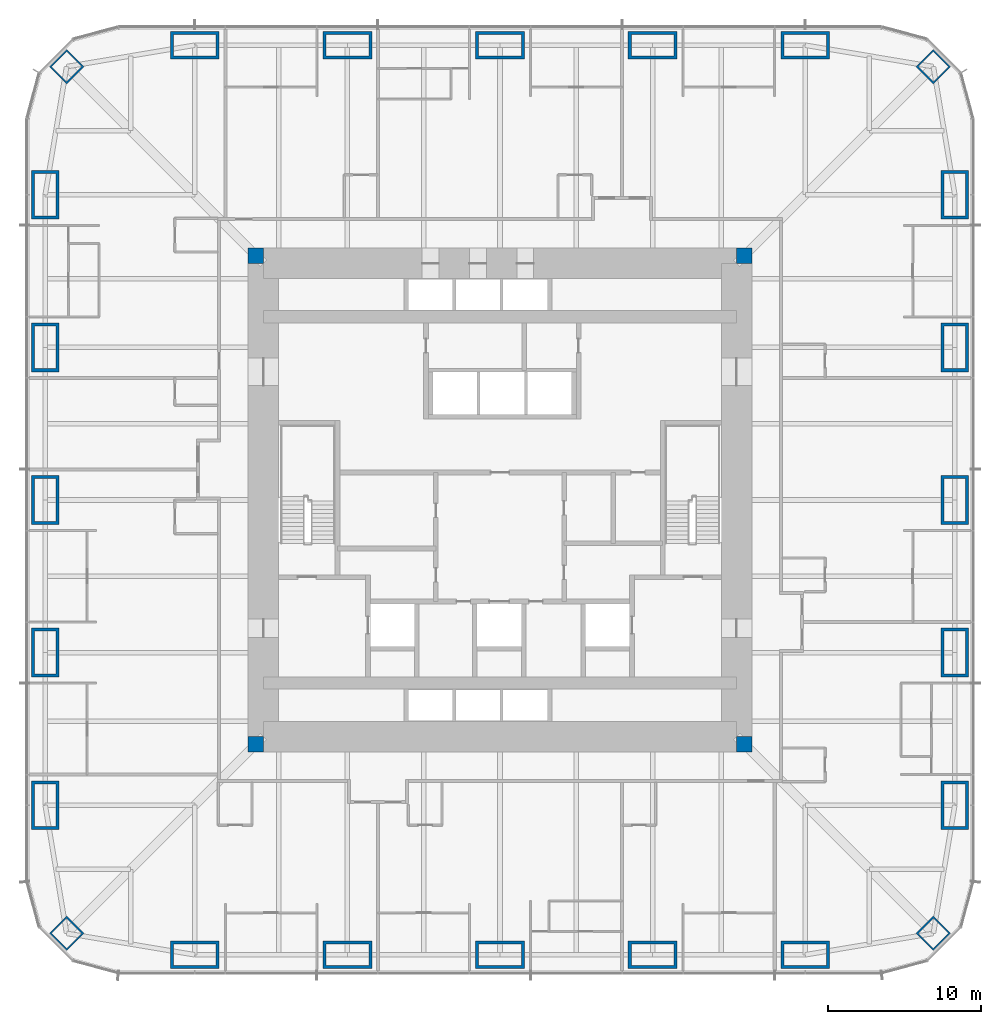
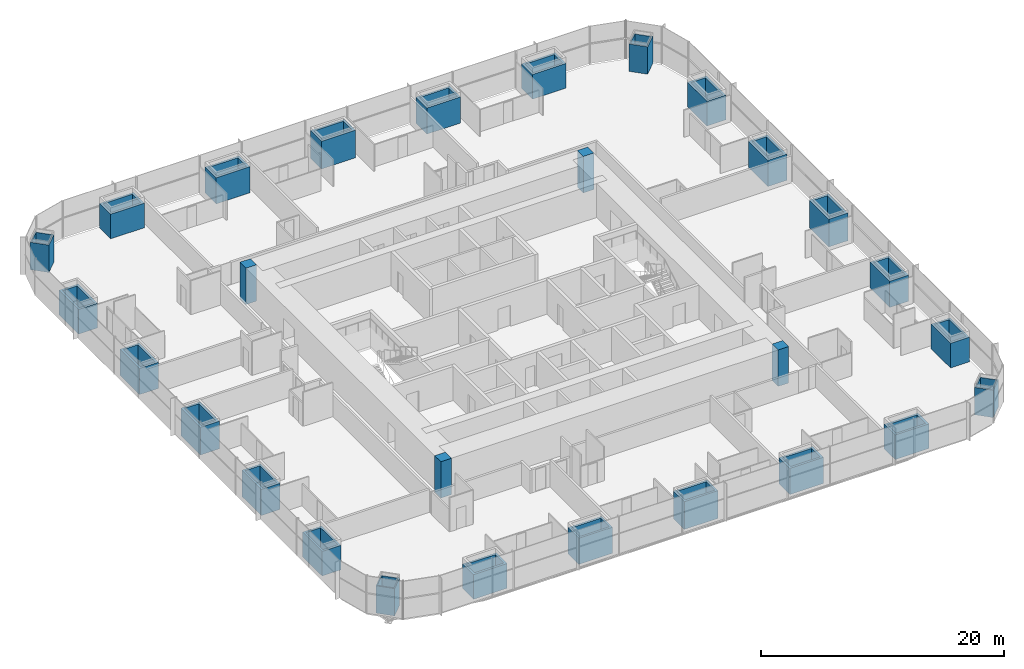
# One storey, part 1 of 17: 28 columns.
"""IFC4 building model written with IfcOpenShell, lengths in metres."""

from ifc_helpers import new_model, si_unit, direction, frame, origin, origin_2d, place, context, subcontext, project, spatial, rectangle, hollow_rectangle, extrude, material, material_profile, profile_set, type_object, element, save


model = new_model("IFC4")

# Units and contexts
model_context = context("Model", 3, precision=1e-05, world=origin(), true_north=direction((0.0, 1.0)))
body_context = subcontext(model_context, "Body", "Model", "MODEL_VIEW")
ifc_project = project(units=[si_unit("LENGTHUNIT", "METRE"), si_unit("AREAUNIT", "SQUARE_METRE"), si_unit("VOLUMEUNIT", "CUBIC_METRE"), si_unit("PLANEANGLEUNIT", "RADIAN"), si_unit("MASSUNIT", "GRAM", prefix="KILO")], contexts=[model_context])

# Site, building, storey
site_placement = place(None, origin())
site = spatial("IfcSite", under=ifc_project, at=site_placement, CompositionType="ELEMENT")
building_placement = place(site_placement, origin())
building = spatial("IfcBuilding", under=site, at=building_placement, Name="Khuree Lantern Residences", CompositionType="ELEMENT")
storey_placement = place(building_placement, frame((0.0, 0.0, 96.0)))
storey = spatial("IfcBuildingStorey", under=building, at=storey_placement, Name="L24", CompositionType="ELEMENT", Elevation=96.0)

# Columns
ifc_material_1 = material(Name="Steel S355 CFT welded box", Category="steel")
ifc_material_profile_1 = material_profile(ifc_material_1, hollow_rectangle(XDim=1.60009765625, YDim=1.60009765625, WallThickness=0.10009765625, at=origin_2d()), Name="WELDED BOX 1600X1600X100")
ifc_profile_set_1 = profile_set([ifc_material_profile_1], Name="Steel S355 CFT welded box")
column_type_1 = type_object("IfcColumnType", Name="CC1600 PERIMETER CORNER MEGA COLUMN WELDED BOX 1600X1600X100", PredefinedType="COLUMN", material=ifc_profile_set_1)
for number, where, z_axis, x_axis, name in (
    (1, (28.39404296875, 28.39404296875, 0.0), (0.0, 0.0, 1.0), (0.707106781187, -0.707106781187, 0.0), "Perimeter column NE"),
    (2, (28.39404296875, -28.39404296875, 0.0), (0.0, 0.0, 1.0), (0.707106781187, 0.707106781187, 0.0), "Perimeter column SE"),
    (3, (-28.39404296875, -28.39404296875, 0.0), (0.0, 0.0, 1.0), (0.707106781187, -0.707106781187, 0.0), "Perimeter column SW"),
    (4, (-28.39404296875, 28.39404296875, 0.0), (0.0, 0.0, 1.0), (0.707106781187, 0.707106781187, 0.0), "Perimeter column NW"),
):
    element("IfcColumn", number, at=place(storey_placement, frame(where, z_axis=z_axis, x_axis=x_axis)), inside=storey, type_object=column_type_1, Name=name, PredefinedType="COLUMN", context=body_context, shape_type="SweptSolid", body=[
        extrude(hollow_rectangle(XDim=1.60009765625, YDim=1.60009765625, WallThickness=0.10009765625, at=origin_2d()), origin(), (0.0, 0.0, 1.0), 2.739990234375),
    ])
ifc_material_2 = material(Name="Concrete C70/85", Category="concrete")
ifc_material_profile_2 = material_profile(ifc_material_2, rectangle(XDim=1.0, YDim=1.0, at=origin_2d()), Name="RC 1000X1000")
ifc_profile_set_2 = profile_set([ifc_material_profile_2], Name="Concrete C70/85")
column_type_2 = type_object("IfcColumnType", Name="CP1000-C70 CORE CORNER PIER C70 RC 1000X1000", PredefinedType="COLUMN", material=ifc_profile_set_2)
for number, where, z_axis, x_axis, name in (
    (5, (16.0, 16.0, -0.25), (0.0, 0.0, 1.0), (1.0, 0.0, 0.0), "Core corner pier NE"),
    (6, (-16.0, 16.0, -0.25), (0.0, 0.0, 1.0), (1.0, 0.0, 0.0), "Core corner pier NW"),
    (7, (-16.0, -16.0, -0.25), (0.0, 0.0, 1.0), (1.0, 0.0, 0.0), "Core corner pier SW"),
    (8, (16.0, -16.0, -0.25), (0.0, 0.0, 1.0), (1.0, 0.0, 0.0), "Core corner pier SE"),
):
    element("IfcColumn", number, at=place(storey_placement, frame(where, z_axis=z_axis, x_axis=x_axis)), inside=storey, type_object=column_type_2, Name=name, PredefinedType="COLUMN", context=body_context, shape_type="SweptSolid", body=[
        extrude(rectangle(XDim=1.0, YDim=1.0, at=origin_2d()), origin(), (0.0, 0.0, 1.0), 3.64990234375),
    ])
ifc_material_profile_3 = material_profile(ifc_material_1, hollow_rectangle(XDim=3.199951171875, YDim=1.800048828125, WallThickness=0.199951171875, at=origin_2d()), Name="WELDED BOX 3200X1800X200")
ifc_profile_set_3 = profile_set([ifc_material_profile_3], Name="Steel S355 CFT welded box")
column_type_3 = type_object("IfcColumnType", Name="SC1 PERIMETER MEGA COLUMN WELDED BOX 3200X1800X200", PredefinedType="COLUMN", material=ifc_profile_set_3)
column_1_placement = place(storey_placement, frame((-20.0, 29.800048828125, 0.0), z_axis=(0.0, 0.0, 1.0), x_axis=(1.0, 0.0, 0.0)))
element("IfcColumn", 9, at=column_1_placement, inside=storey, type_object=column_type_3, Name="Perimeter column N1", PredefinedType="COLUMN", context=body_context, shape_type="SweptSolid", body=[
    extrude(hollow_rectangle(XDim=3.199951171875, YDim=1.800048828125, WallThickness=0.199951171875, at=origin_2d()), origin(), (0.0, 0.0, 1.0), 2.469970703125),
])
column_2_placement = place(storey_placement, frame((-10.0, 29.800048828125, 0.0), z_axis=(0.0, 0.0, 1.0), x_axis=(1.0, 0.0, 0.0)))
element("IfcColumn", 10, at=column_2_placement, inside=storey, type_object=column_type_3, Name="Perimeter column N2", PredefinedType="COLUMN", context=body_context, shape_type="SweptSolid", body=[
    extrude(hollow_rectangle(XDim=3.199951171875, YDim=1.800048828125, WallThickness=0.199951171875, at=origin_2d()), origin(), (0.0, 0.0, 1.0), 2.6201171875),
])
column_3_placement = place(storey_placement, frame((0.0, 29.800048828125, 0.0), z_axis=(0.0, 0.0, 1.0), x_axis=(1.0, 0.0, 0.0)))
element("IfcColumn", 11, at=column_3_placement, inside=storey, type_object=column_type_3, Name="Perimeter column N3", PredefinedType="COLUMN", context=body_context, shape_type="SweptSolid", body=[
    extrude(hollow_rectangle(XDim=3.199951171875, YDim=1.800048828125, WallThickness=0.199951171875, at=origin_2d()), origin(), (0.0, 0.0, 1.0), 2.780029296875),
])
column_4_placement = place(storey_placement, frame((10.0, 29.800048828125, 0.0), z_axis=(0.0, 0.0, 1.0), x_axis=(1.0, 0.0, 0.0)))
element("IfcColumn", 12, at=column_4_placement, inside=storey, type_object=column_type_3, Name="Perimeter column N4", PredefinedType="COLUMN", context=body_context, shape_type="SweptSolid", body=[
    extrude(hollow_rectangle(XDim=3.199951171875, YDim=1.800048828125, WallThickness=0.199951171875, at=origin_2d()), origin(), (0.0, 0.0, 1.0), 2.6201171875),
])
for number, where, z_axis, x_axis, name in (
    (13, (20.0, 29.800048828125, 0.0), (0.0, 0.0, 1.0), (1.0, 0.0, 0.0), "Perimeter column N5"),
    (14, (29.800048828125, 20.0, 0.0), (0.0, 0.0, 1.0), (0.0, 1.0, 0.0), "Perimeter column E1"),
):
    element("IfcColumn", number, at=place(storey_placement, frame(where, z_axis=z_axis, x_axis=x_axis)), inside=storey, type_object=column_type_3, Name=name, PredefinedType="COLUMN", context=body_context, shape_type="SweptSolid", body=[
        extrude(hollow_rectangle(XDim=3.199951171875, YDim=1.800048828125, WallThickness=0.199951171875, at=origin_2d()), origin(), (0.0, 0.0, 1.0), 2.469970703125),
    ])
column_5_placement = place(storey_placement, frame((29.800048828125, 10.0, 0.0), z_axis=(0.0, 0.0, 1.0), x_axis=(0.0, 1.0, 0.0)))
element("IfcColumn", 15, at=column_5_placement, inside=storey, type_object=column_type_3, Name="Perimeter column E2", PredefinedType="COLUMN", context=body_context, shape_type="SweptSolid", body=[
    extrude(hollow_rectangle(XDim=3.199951171875, YDim=1.800048828125, WallThickness=0.199951171875, at=origin_2d()), origin(), (0.0, 0.0, 1.0), 2.6201171875),
])
column_6_placement = place(storey_placement, frame((29.800048828125, 0.0, 0.0), z_axis=(0.0, 0.0, 1.0), x_axis=(0.0, 1.0, 0.0)))
element("IfcColumn", 16, at=column_6_placement, inside=storey, type_object=column_type_3, Name="Perimeter column E3", PredefinedType="COLUMN", context=body_context, shape_type="SweptSolid", body=[
    extrude(hollow_rectangle(XDim=3.199951171875, YDim=1.800048828125, WallThickness=0.199951171875, at=origin_2d()), origin(), (0.0, 0.0, 1.0), 2.780029296875),
])
column_7_placement = place(storey_placement, frame((29.800048828125, -10.0, 0.0), z_axis=(0.0, 0.0, 1.0), x_axis=(0.0, 1.0, 0.0)))
element("IfcColumn", 17, at=column_7_placement, inside=storey, type_object=column_type_3, Name="Perimeter column E4", PredefinedType="COLUMN", context=body_context, shape_type="SweptSolid", body=[
    extrude(hollow_rectangle(XDim=3.199951171875, YDim=1.800048828125, WallThickness=0.199951171875, at=origin_2d()), origin(), (0.0, 0.0, 1.0), 2.6201171875),
])
for number, where, z_axis, x_axis, name in (
    (18, (29.800048828125, -20.0, 0.0), (0.0, 0.0, 1.0), (0.0, 1.0, 0.0), "Perimeter column E5"),
    (19, (20.0, -29.800048828125, 0.0), (0.0, 0.0, 1.0), (1.0, 0.0, 0.0), "Perimeter column S1"),
):
    element("IfcColumn", number, at=place(storey_placement, frame(where, z_axis=z_axis, x_axis=x_axis)), inside=storey, type_object=column_type_3, Name=name, PredefinedType="COLUMN", context=body_context, shape_type="SweptSolid", body=[
        extrude(hollow_rectangle(XDim=3.199951171875, YDim=1.800048828125, WallThickness=0.199951171875, at=origin_2d()), origin(), (0.0, 0.0, 1.0), 2.469970703125),
    ])
column_8_placement = place(storey_placement, frame((10.0, -29.800048828125, 0.0), z_axis=(0.0, 0.0, 1.0), x_axis=(1.0, 0.0, 0.0)))
element("IfcColumn", 20, at=column_8_placement, inside=storey, type_object=column_type_3, Name="Perimeter column S2", PredefinedType="COLUMN", context=body_context, shape_type="SweptSolid", body=[
    extrude(hollow_rectangle(XDim=3.199951171875, YDim=1.800048828125, WallThickness=0.199951171875, at=origin_2d()), origin(), (0.0, 0.0, 1.0), 2.6201171875),
])
column_9_placement = place(storey_placement, frame((0.0, -29.800048828125, 0.0), z_axis=(0.0, 0.0, 1.0), x_axis=(1.0, 0.0, 0.0)))
element("IfcColumn", 21, at=column_9_placement, inside=storey, type_object=column_type_3, Name="Perimeter column S3", PredefinedType="COLUMN", context=body_context, shape_type="SweptSolid", body=[
    extrude(hollow_rectangle(XDim=3.199951171875, YDim=1.800048828125, WallThickness=0.199951171875, at=origin_2d()), origin(), (0.0, 0.0, 1.0), 2.780029296875),
])
column_10_placement = place(storey_placement, frame((-10.0, -29.800048828125, 0.0), z_axis=(0.0, 0.0, 1.0), x_axis=(1.0, 0.0, 0.0)))
element("IfcColumn", 22, at=column_10_placement, inside=storey, type_object=column_type_3, Name="Perimeter column S4", PredefinedType="COLUMN", context=body_context, shape_type="SweptSolid", body=[
    extrude(hollow_rectangle(XDim=3.199951171875, YDim=1.800048828125, WallThickness=0.199951171875, at=origin_2d()), origin(), (0.0, 0.0, 1.0), 2.6201171875),
])
for number, where, z_axis, x_axis, name in (
    (23, (-20.0, -29.800048828125, 0.0), (0.0, 0.0, 1.0), (1.0, 0.0, 0.0), "Perimeter column S5"),
    (24, (-29.800048828125, -20.0, 0.0), (0.0, 0.0, 1.0), (0.0, 1.0, 0.0), "Perimeter column W1"),
):
    element("IfcColumn", number, at=place(storey_placement, frame(where, z_axis=z_axis, x_axis=x_axis)), inside=storey, type_object=column_type_3, Name=name, PredefinedType="COLUMN", context=body_context, shape_type="SweptSolid", body=[
        extrude(hollow_rectangle(XDim=3.199951171875, YDim=1.800048828125, WallThickness=0.199951171875, at=origin_2d()), origin(), (0.0, 0.0, 1.0), 2.469970703125),
    ])
column_11_placement = place(storey_placement, frame((-29.800048828125, -10.0, 0.0), z_axis=(0.0, 0.0, 1.0), x_axis=(0.0, 1.0, 0.0)))
element("IfcColumn", 25, at=column_11_placement, inside=storey, type_object=column_type_3, Name="Perimeter column W2", PredefinedType="COLUMN", context=body_context, shape_type="SweptSolid", body=[
    extrude(hollow_rectangle(XDim=3.199951171875, YDim=1.800048828125, WallThickness=0.199951171875, at=origin_2d()), origin(), (0.0, 0.0, 1.0), 2.6201171875),
])
column_12_placement = place(storey_placement, frame((-29.800048828125, 0.0, 0.0), z_axis=(0.0, 0.0, 1.0), x_axis=(0.0, 1.0, 0.0)))
element("IfcColumn", 26, at=column_12_placement, inside=storey, type_object=column_type_3, Name="Perimeter column W3", PredefinedType="COLUMN", context=body_context, shape_type="SweptSolid", body=[
    extrude(hollow_rectangle(XDim=3.199951171875, YDim=1.800048828125, WallThickness=0.199951171875, at=origin_2d()), origin(), (0.0, 0.0, 1.0), 2.780029296875),
])
column_13_placement = place(storey_placement, frame((-29.800048828125, 10.0, 0.0), z_axis=(0.0, 0.0, 1.0), x_axis=(0.0, 1.0, 0.0)))
element("IfcColumn", 27, at=column_13_placement, inside=storey, type_object=column_type_3, Name="Perimeter column W4", PredefinedType="COLUMN", context=body_context, shape_type="SweptSolid", body=[
    extrude(hollow_rectangle(XDim=3.199951171875, YDim=1.800048828125, WallThickness=0.199951171875, at=origin_2d()), origin(), (0.0, 0.0, 1.0), 2.6201171875),
])
column_14_placement = place(storey_placement, frame((-29.800048828125, 20.0, 0.0), z_axis=(0.0, 0.0, 1.0), x_axis=(0.0, 1.0, 0.0)))
element("IfcColumn", 28, at=column_14_placement, inside=storey, type_object=column_type_3, Name="Perimeter column W5", PredefinedType="COLUMN", context=body_context, shape_type="SweptSolid", body=[
    extrude(hollow_rectangle(XDim=3.199951171875, YDim=1.800048828125, WallThickness=0.199951171875, at=origin_2d()), origin(), (0.0, 0.0, 1.0), 2.469970703125),
])

save(model, "model.ifc")
